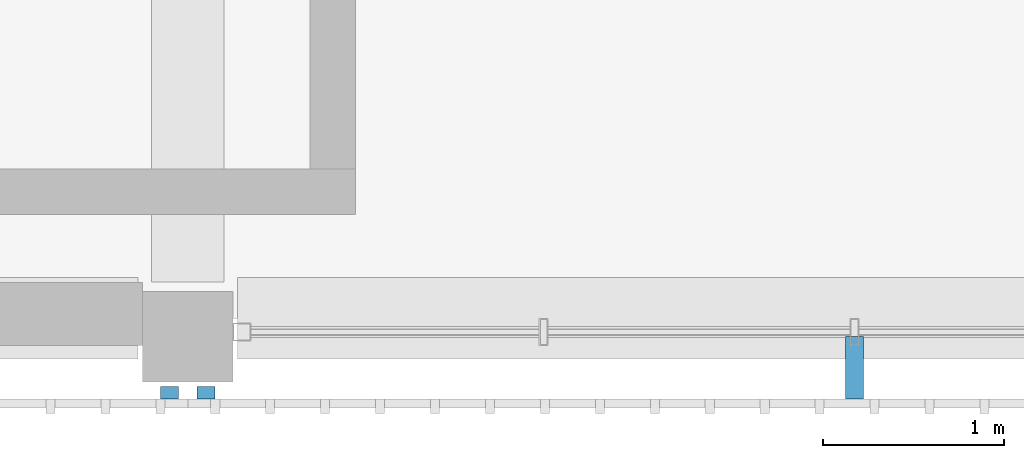
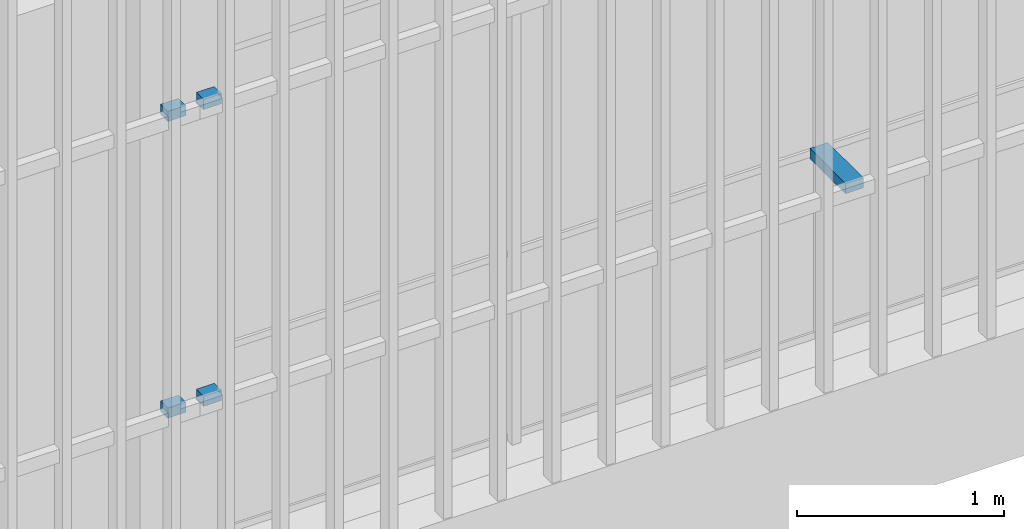
# One storey, part 87 of 124: 5 discrete accessories.
"""IFC4 building model written with IfcOpenShell, lengths in metres."""

from ifc_helpers import new_model, si_unit, direction, frame, origin, origin_2d, place, context, subcontext, project, spatial, rectangle, extrude, material, type_object, element, save


model = new_model("IFC4")

# Units and contexts
model_context = context("Model", 3, precision=1e-05, world=origin(), true_north=direction((0.0, 1.0)))
body_context = subcontext(model_context, "Body", "Model", "MODEL_VIEW")
ifc_project = project(units=[si_unit("LENGTHUNIT", "METRE"), si_unit("AREAUNIT", "SQUARE_METRE"), si_unit("VOLUMEUNIT", "CUBIC_METRE"), si_unit("PLANEANGLEUNIT", "RADIAN"), si_unit("MASSUNIT", "GRAM", prefix="KILO")], contexts=[model_context])

# Site, building, storey
site_placement = place(None, origin())
site = spatial("IfcSite", under=ifc_project, at=site_placement, CompositionType="ELEMENT")
building_placement = place(site_placement, origin())
building = spatial("IfcBuilding", under=site, at=building_placement, Name="Shirokan Park Arena", CompositionType="ELEMENT")
storey_placement = place(building_placement, frame((0.0, 0.0, 20.02001953125)))
storey = spatial("IfcBuildingStorey", under=building, at=storey_placement, Name="L04", CompositionType="ELEMENT", Elevation=20.02001953125)

# Discrete accessories
ifc_material = material(Name="Steel S355", Category="steel")
discrete_accessory_type = type_object("IfcDiscreteAccessoryType", Name="Veil bracket 100x60", PredefinedType="BRACKET", material=ifc_material)
for number, where, z_axis, x_axis, name in (
    (1, (27.199951171875, -0.409912109375, 1.070068359375), (0.0, 0.0, 1.0), (1.0, 0.0, 0.0), "Veil bracket south bay 3 L04 2"),
    (2, (27.199951171875, -0.409912109375, 2.820068359375), (0.0, 0.0, 1.0), (1.0, 0.0, 0.0), "Veil bracket south bay 3 L04 4"),
    (3, (27.39990234375, -0.409912109375, 1.070068359375), (0.0, 0.0, 1.0), (1.0, 0.0, 0.0), "Veil bracket south bay 4 L04 1"),
    (4, (27.39990234375, -0.409912109375, 2.820068359375), (0.0, 0.0, 1.0), (1.0, 0.0, 0.0), "Veil bracket south bay 4 L04 3"),
):
    element("IfcDiscreteAccessory", number, at=place(storey_placement, frame(where, z_axis=z_axis, x_axis=x_axis)), inside=storey, type_object=discrete_accessory_type, Name=name, PredefinedType="BRACKET", context=body_context, shape_type="SweptSolid", body=[
        extrude(rectangle(XDim=0.10009765625, YDim=0.070068359375, at=origin_2d()), origin(), (0.0, 0.0, 1.0), 0.06005859375),
    ])
discrete_accessory_placement = place(storey_placement, frame((30.97998046875, -0.2724609375, 1.070068359375), z_axis=(0.0, 0.0, 1.0), x_axis=(1.0, 0.0, 0.0)))
element("IfcDiscreteAccessory", 5, at=discrete_accessory_placement, inside=storey, type_object=discrete_accessory_type, Name="Veil bracket south bay 4 L04 wall 1", PredefinedType="BRACKET", context=body_context, shape_type="SweptSolid", body=[
    extrude(rectangle(XDim=0.10009765625, YDim=0.344970703125, at=origin_2d()), origin(), (0.0, 0.0, 1.0), 0.06005859375),
])

save(model, "model.ifc")
